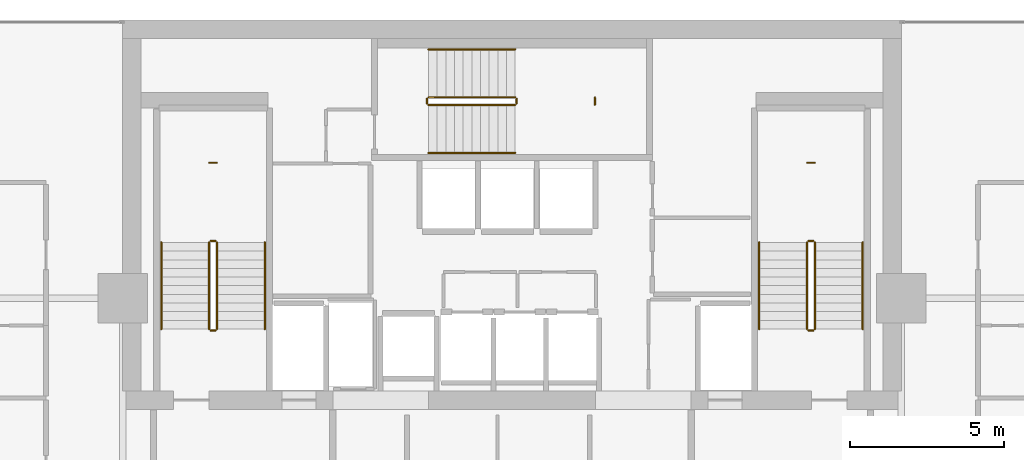
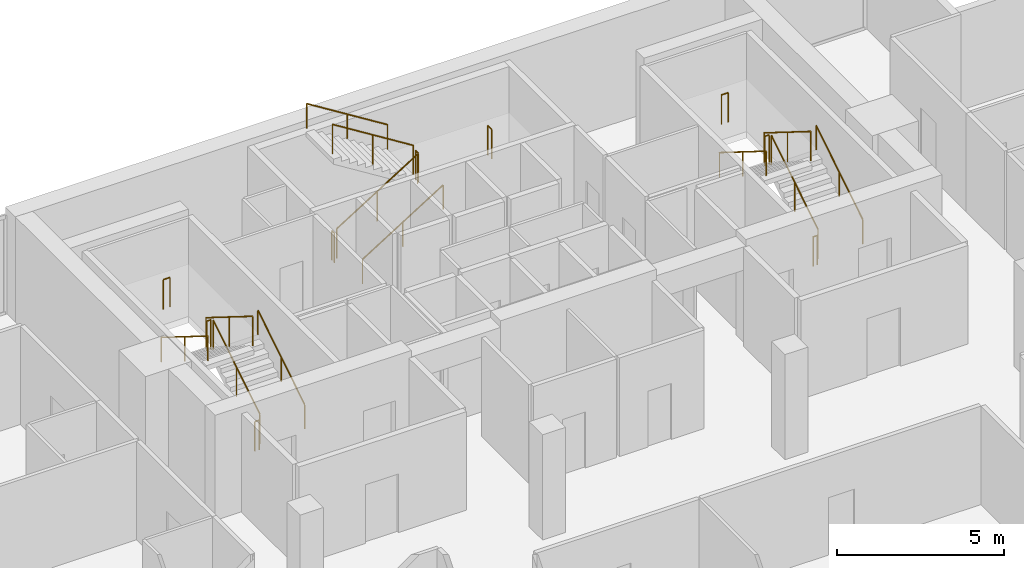
# One storey, part 26 of 26: 21 railings.
"""IFC4 building model written with IfcOpenShell, lengths in metres."""

from ifc_helpers import new_model, si_unit, direction, frame, origin, origin_2d, place, context, subcontext, project, spatial, circle, extrude, material, type_object, element, save


model = new_model("IFC4")

# Units and contexts
model_context = context("Model", 3, precision=1e-05, world=origin(), true_north=direction((0.0, 1.0)))
body_context = subcontext(model_context, "Body", "Model", "MODEL_VIEW")
ifc_project = project(units=[si_unit("LENGTHUNIT", "METRE"), si_unit("AREAUNIT", "SQUARE_METRE"), si_unit("VOLUMEUNIT", "CUBIC_METRE"), si_unit("PLANEANGLEUNIT", "RADIAN"), si_unit("MASSUNIT", "GRAM", prefix="KILO")], contexts=[model_context])

# Site, building, storey
site_placement = place(None, origin())
site = spatial("IfcSite", under=ifc_project, at=site_placement, CompositionType="ELEMENT")
building_placement = place(site_placement, origin())
building = spatial("IfcBuilding", under=site, at=building_placement, Name="Maruvema Waterfront Hotel and Observation Tower", CompositionType="ELEMENT")
storey_placement = place(building_placement, frame((0.0, 0.0, 243.25)))
storey = spatial("IfcBuildingStorey", under=building, at=storey_placement, Name="L59", CompositionType="ELEMENT", Elevation=243.25)

# Railings
ifc_material_1 = material(Name="Brushed stainless steel Grade 316", Category="steel")
railing_type_1 = type_object("IfcRailingType", Name="Ramp Continuous Wall Handrail 920 mm", PredefinedType="HANDRAIL", material=ifc_material_1)
railing_1_placement = place(storey_placement, frame((29.800048828125, 44.0, 0.175048828125)))
element("IfcRailing", 1, at=railing_1_placement, inside=storey, type_object=railing_type_1, Name="L59 ST-01 stair handrail 1", PredefinedType="HANDRAIL", context=body_context, shape_type="SweptSolid", body=[
    extrude(circle(Radius=0.02392578125, at=origin_2d()), frame((0.0, 0.0, 0.89599609375), z_axis=(0.0, 0.848002457836, 0.529992293815), x_axis=(-1.0, 0.0, 0.0)), (0.0, 0.0, 1.0), 3.302001953125),
    extrude(circle(Radius=0.02099609375, at=origin_2d()), origin(), (0.0, 0.0, 1.0), 0.871826171875),
    extrude(circle(Radius=0.02099609375, at=origin_2d()), frame((0.0, 1.39990234375, 0.875)), (0.0, 0.0, 1.0), 0.871826171875),
    extrude(circle(Radius=0.02099609375, at=origin_2d()), frame((0.0, 2.800048828125, 1.75)), (0.0, 0.0, 1.0), 0.871826171875),
])
railing_2_placement = place(storey_placement, frame((26.449951171875, 46.800048828125, 2.10009765625)))
element("IfcRailing", 2, at=railing_2_placement, inside=storey, type_object=railing_type_1, Name="L59 ST-01 stair handrail 2", PredefinedType="HANDRAIL", context=body_context, shape_type="SweptSolid", body=[
    extrude(circle(Radius=0.02392578125, at=origin_2d()), frame((0.0, 0.0, 0.89599609375), z_axis=(0.0, -0.848002457836, 0.529992293815), x_axis=(1.0, 0.0, 0.0)), (0.0, 0.0, 1.0), 3.302001953125),
    extrude(circle(Radius=0.02099609375, at=origin_2d()), origin(), (0.0, 0.0, 1.0), 0.871826171875),
    extrude(circle(Radius=0.02099609375, at=origin_2d()), frame((0.0, -1.39990234375, 0.875)), (0.0, 0.0, 1.0), 0.871826171875),
    extrude(circle(Radius=0.02099609375, at=origin_2d()), frame((0.0, -2.800048828125, 1.75)), (0.0, 0.0, 1.0), 0.871826171875),
])
railing_3_placement = place(storey_placement, frame((35.10009765625, 49.699951171875, 0.175048828125)))
element("IfcRailing", 3, at=railing_3_placement, inside=storey, type_object=railing_type_1, Name="L59 ST-02 stair handrail 1", PredefinedType="HANDRAIL", context=body_context, shape_type="SweptSolid", body=[
    extrude(circle(Radius=0.02392578125, at=origin_2d()), frame((0.0, 0.0, 0.89599609375), z_axis=(0.847981687118, 0.0, 0.530025526095), x_axis=(0.0, 1.0, 0.0)), (0.0, 0.0, 1.0), 3.3017578125),
    extrude(circle(Radius=0.02099609375, at=origin_2d()), origin(), (0.0, 0.0, 1.0), 0.871826171875),
    extrude(circle(Radius=0.02099609375, at=origin_2d()), frame((1.39990234375, 0.0, 0.875)), (0.0, 0.0, 1.0), 0.871826171875),
    extrude(circle(Radius=0.02099609375, at=origin_2d()), frame((2.7998046875, 0.0, 1.75)), (0.0, 0.0, 1.0), 0.871826171875),
])
railing_4_placement = place(storey_placement, frame((37.89990234375, 53.050048828125, 2.10009765625)))
element("IfcRailing", 4, at=railing_4_placement, inside=storey, type_object=railing_type_1, Name="L59 ST-02 stair handrail 2", PredefinedType="HANDRAIL", context=body_context, shape_type="SweptSolid", body=[
    extrude(circle(Radius=0.02392578125, at=origin_2d()), frame((0.0, 0.0, 0.89599609375), z_axis=(-0.847981687118, 0.0, 0.530025526095), x_axis=(0.0, -1.0, 0.0)), (0.0, 0.0, 1.0), 3.3017578125),
    extrude(circle(Radius=0.02099609375, at=origin_2d()), origin(), (0.0, 0.0, 1.0), 0.871826171875),
    extrude(circle(Radius=0.02099609375, at=origin_2d()), frame((-1.39990234375, 0.0, 0.875)), (0.0, 0.0, 1.0), 0.871826171875),
    extrude(circle(Radius=0.02099609375, at=origin_2d()), frame((-2.7998046875, 0.0, 1.75)), (0.0, 0.0, 1.0), 0.871826171875),
])
railing_5_placement = place(storey_placement, frame((49.14990234375, 44.0, 0.175048828125)))
element("IfcRailing", 5, at=railing_5_placement, inside=storey, type_object=railing_type_1, Name="L59 ST-03 stair handrail 1", PredefinedType="HANDRAIL", context=body_context, shape_type="SweptSolid", body=[
    extrude(circle(Radius=0.02392578125, at=origin_2d()), frame((0.0, 0.0, 0.89599609375), z_axis=(0.0, 0.848002457836, 0.529992293815), x_axis=(-1.0, 0.0, 0.0)), (0.0, 0.0, 1.0), 3.302001953125),
    extrude(circle(Radius=0.02099609375, at=origin_2d()), origin(), (0.0, 0.0, 1.0), 0.871826171875),
    extrude(circle(Radius=0.02099609375, at=origin_2d()), frame((0.0, 1.39990234375, 0.875)), (0.0, 0.0, 1.0), 0.871826171875),
    extrude(circle(Radius=0.02099609375, at=origin_2d()), frame((0.0, 2.800048828125, 1.75)), (0.0, 0.0, 1.0), 0.871826171875),
])
railing_6_placement = place(storey_placement, frame((45.800048828125, 46.800048828125, 2.10009765625)))
element("IfcRailing", 6, at=railing_6_placement, inside=storey, type_object=railing_type_1, Name="L59 ST-03 stair handrail 2", PredefinedType="HANDRAIL", context=body_context, shape_type="SweptSolid", body=[
    extrude(circle(Radius=0.02392578125, at=origin_2d()), frame((0.0, 0.0, 0.89599609375), z_axis=(0.0, -0.848002457836, 0.529992293815), x_axis=(1.0, 0.0, 0.0)), (0.0, 0.0, 1.0), 3.302001953125),
    extrude(circle(Radius=0.02099609375, at=origin_2d()), origin(), (0.0, 0.0, 1.0), 0.871826171875),
    extrude(circle(Radius=0.02099609375, at=origin_2d()), frame((0.0, -1.39990234375, 0.875)), (0.0, 0.0, 1.0), 0.871826171875),
    extrude(circle(Radius=0.02099609375, at=origin_2d()), frame((0.0, -2.800048828125, 1.75)), (0.0, 0.0, 1.0), 0.871826171875),
])
ifc_material_2 = material(Name="Brushed stainless steel Grade 316", Category="steel")
railing_type_2 = type_object("IfcRailingType", Name="Ramp and Terrace Guard Balustrade 1100 mm", PredefinedType="BALUSTRADE", material=ifc_material_2)
railing_7_placement = place(storey_placement, frame((28.25, 44.0, 0.175048828125)))
element("IfcRailing", 7, at=railing_7_placement, inside=storey, type_object=railing_type_2, Name="L59 ST-01 stair guard 1", PredefinedType="BALUSTRADE", context=body_context, shape_type="SweptSolid", body=[
    extrude(circle(Radius=0.02392578125, at=origin_2d()), frame((0.0, 0.0, 1.076171875), z_axis=(0.0, 0.848002457836, 0.529992293815), x_axis=(-1.0, 0.0, 0.0)), (0.0, 0.0, 1.0), 3.302001953125),
    extrude(circle(Radius=0.02099609375, at=origin_2d()), origin(), (0.0, 0.0, 1.0), 1.052001953125),
    extrude(circle(Radius=0.02099609375, at=origin_2d()), frame((0.0, 1.39990234375, 0.875)), (0.0, 0.0, 1.0), 1.052001953125),
    extrude(circle(Radius=0.02099609375, at=origin_2d()), frame((0.0, 2.800048828125, 1.75)), (0.0, 0.0, 1.0), 1.052001953125),
])
railing_8_placement = place(storey_placement, frame((28.199951171875, 46.85009765625, 1.925048828125)))
element("IfcRailing", 8, at=railing_8_placement, inside=storey, type_object=railing_type_2, Name="L59 ST-01 stair guard 2", PredefinedType="BALUSTRADE", context=body_context, shape_type="SweptSolid", body=[
    extrude(circle(Radius=0.02392578125, at=origin_2d()), frame((0.0, 0.0, 1.076171875), z_axis=(-1.0, 0.0, 0.0), x_axis=(0.0, -1.0, 0.0)), (0.0, 0.0, 1.0), 0.14990234375),
    extrude(circle(Radius=0.02099609375, at=origin_2d()), origin(), (0.0, 0.0, 1.0), 1.052001953125),
    extrude(circle(Radius=0.02099609375, at=origin_2d()), frame((-0.14990234375, 0.0, 0.0)), (0.0, 0.0, 1.0), 1.052001953125),
])
railing_9_placement = place(storey_placement, frame((28.0, 46.800048828125, 2.10009765625)))
element("IfcRailing", 9, at=railing_9_placement, inside=storey, type_object=railing_type_2, Name="L59 ST-01 stair guard 3", PredefinedType="BALUSTRADE", context=body_context, shape_type="SweptSolid", body=[
    extrude(circle(Radius=0.02392578125, at=origin_2d()), frame((0.0, 0.0, 1.076171875), z_axis=(0.0, -0.848002457836, 0.529992293815), x_axis=(1.0, 0.0, 0.0)), (0.0, 0.0, 1.0), 3.302001953125),
    extrude(circle(Radius=0.02099609375, at=origin_2d()), origin(), (0.0, 0.0, 1.0), 1.052001953125),
    extrude(circle(Radius=0.02099609375, at=origin_2d()), frame((0.0, -1.39990234375, 0.875)), (0.0, 0.0, 1.0), 1.052001953125),
    extrude(circle(Radius=0.02099609375, at=origin_2d()), frame((0.0, -2.800048828125, 1.75)), (0.0, 0.0, 1.0), 1.052001953125),
])
railing_10_placement = place(storey_placement, frame((28.199951171875, 43.949951171875, 0.0)))
element("IfcRailing", 10, at=railing_10_placement, inside=storey, type_object=railing_type_2, Name="L59 ST-01 stair guard 4", PredefinedType="BALUSTRADE", context=body_context, shape_type="SweptSolid", body=[
    extrude(circle(Radius=0.02392578125, at=origin_2d()), frame((0.0, 0.0, 1.076171875), z_axis=(-1.0, 0.0, 0.0), x_axis=(0.0, -1.0, 0.0)), (0.0, 0.0, 1.0), 0.14990234375),
    extrude(circle(Radius=0.02099609375, at=origin_2d()), origin(), (0.0, 0.0, 1.0), 1.052001953125),
    extrude(circle(Radius=0.02099609375, at=origin_2d()), frame((-0.14990234375, 0.0, 0.0)), (0.0, 0.0, 1.0), 1.052001953125),
])
railing_11_placement = place(storey_placement, frame((28.239990234375, 49.3798828125, 1.925048828125)))
element("IfcRailing", 11, at=railing_11_placement, inside=storey, type_object=railing_type_2, Name="L59 ST-01 Half-Landing Slot Guard", PredefinedType="BALUSTRADE", context=body_context, shape_type="SweptSolid", body=[
    extrude(circle(Radius=0.02392578125, at=origin_2d()), frame((0.0, 0.0, 1.076171875), z_axis=(-1.0, 0.0, 0.0), x_axis=(0.0, -1.0, 0.0)), (0.0, 0.0, 1.0), 0.22998046875),
    extrude(circle(Radius=0.02099609375, at=origin_2d()), origin(), (0.0, 0.0, 1.0), 1.052001953125),
    extrude(circle(Radius=0.02099609375, at=origin_2d()), frame((-0.22998046875, 0.0, 0.0)), (0.0, 0.0, 1.0), 1.052001953125),
])
railing_12_placement = place(storey_placement, frame((35.10009765625, 51.25, 0.175048828125)))
element("IfcRailing", 12, at=railing_12_placement, inside=storey, type_object=railing_type_2, Name="L59 ST-02 stair guard 1", PredefinedType="BALUSTRADE", context=body_context, shape_type="SweptSolid", body=[
    extrude(circle(Radius=0.02392578125, at=origin_2d()), frame((0.0, 0.0, 1.076171875), z_axis=(0.847981687118, 0.0, 0.530025526095), x_axis=(0.0, 1.0, 0.0)), (0.0, 0.0, 1.0), 3.3017578125),
    extrude(circle(Radius=0.02099609375, at=origin_2d()), origin(), (0.0, 0.0, 1.0), 1.052001953125),
    extrude(circle(Radius=0.02099609375, at=origin_2d()), frame((1.39990234375, 0.0, 0.875)), (0.0, 0.0, 1.0), 1.052001953125),
    extrude(circle(Radius=0.02099609375, at=origin_2d()), frame((2.7998046875, 0.0, 1.75)), (0.0, 0.0, 1.0), 1.052001953125),
])
railing_13_placement = place(storey_placement, frame((37.949951171875, 51.300048828125, 1.925048828125)))
element("IfcRailing", 13, at=railing_13_placement, inside=storey, type_object=railing_type_2, Name="L59 ST-02 stair guard 2", PredefinedType="BALUSTRADE", context=body_context, shape_type="SweptSolid", body=[
    extrude(circle(Radius=0.02392578125, at=origin_2d()), frame((0.0, 0.0, 1.076171875), z_axis=(0.0, 1.0, 0.0), x_axis=(-1.0, 0.0, 0.0)), (0.0, 0.0, 1.0), 0.14990234375),
    extrude(circle(Radius=0.02099609375, at=origin_2d()), origin(), (0.0, 0.0, 1.0), 1.052001953125),
    extrude(circle(Radius=0.02099609375, at=origin_2d()), frame((0.0, 0.14990234375, 0.0)), (0.0, 0.0, 1.0), 1.052001953125),
])
railing_14_placement = place(storey_placement, frame((37.89990234375, 51.5, 2.10009765625)))
element("IfcRailing", 14, at=railing_14_placement, inside=storey, type_object=railing_type_2, Name="L59 ST-02 stair guard 3", PredefinedType="BALUSTRADE", context=body_context, shape_type="SweptSolid", body=[
    extrude(circle(Radius=0.02392578125, at=origin_2d()), frame((0.0, 0.0, 1.076171875), z_axis=(-0.847981687118, 0.0, 0.530025526095), x_axis=(0.0, -1.0, 0.0)), (0.0, 0.0, 1.0), 3.3017578125),
    extrude(circle(Radius=0.02099609375, at=origin_2d()), origin(), (0.0, 0.0, 1.0), 1.052001953125),
    extrude(circle(Radius=0.02099609375, at=origin_2d()), frame((-1.39990234375, 0.0, 0.875)), (0.0, 0.0, 1.0), 1.052001953125),
    extrude(circle(Radius=0.02099609375, at=origin_2d()), frame((-2.7998046875, 0.0, 1.75)), (0.0, 0.0, 1.0), 1.052001953125),
])
railing_15_placement = place(storey_placement, frame((35.050048828125, 51.300048828125, 0.0)))
element("IfcRailing", 15, at=railing_15_placement, inside=storey, type_object=railing_type_2, Name="L59 ST-02 stair guard 4", PredefinedType="BALUSTRADE", context=body_context, shape_type="SweptSolid", body=[
    extrude(circle(Radius=0.02392578125, at=origin_2d()), frame((0.0, 0.0, 1.076171875), z_axis=(0.0, 1.0, 0.0), x_axis=(-1.0, 0.0, 0.0)), (0.0, 0.0, 1.0), 0.14990234375),
    extrude(circle(Radius=0.02099609375, at=origin_2d()), origin(), (0.0, 0.0, 1.0), 1.052001953125),
    extrude(circle(Radius=0.02099609375, at=origin_2d()), frame((0.0, 0.14990234375, 0.0)), (0.0, 0.0, 1.0), 1.052001953125),
])
railing_16_placement = place(storey_placement, frame((40.47998046875, 51.260009765625, 1.925048828125)))
element("IfcRailing", 16, at=railing_16_placement, inside=storey, type_object=railing_type_2, Name="L59 ST-02 Half-Landing Slot Guard", PredefinedType="BALUSTRADE", context=body_context, shape_type="SweptSolid", body=[
    extrude(circle(Radius=0.02392578125, at=origin_2d()), frame((0.0, 0.0, 1.076171875), z_axis=(0.0, 1.0, 0.0), x_axis=(-1.0, 0.0, 0.0)), (0.0, 0.0, 1.0), 0.22998046875),
    extrude(circle(Radius=0.02099609375, at=origin_2d()), origin(), (0.0, 0.0, 1.0), 1.052001953125),
    extrude(circle(Radius=0.02099609375, at=origin_2d()), frame((0.0, 0.22998046875, 0.0)), (0.0, 0.0, 1.0), 1.052001953125),
])
railing_17_placement = place(storey_placement, frame((47.60009765625, 44.0, 0.175048828125)))
element("IfcRailing", 17, at=railing_17_placement, inside=storey, type_object=railing_type_2, Name="L59 ST-03 stair guard 1", PredefinedType="BALUSTRADE", context=body_context, shape_type="SweptSolid", body=[
    extrude(circle(Radius=0.02392578125, at=origin_2d()), frame((0.0, 0.0, 1.076171875), z_axis=(0.0, 0.848002457836, 0.529992293815), x_axis=(-1.0, 0.0, 0.0)), (0.0, 0.0, 1.0), 3.302001953125),
    extrude(circle(Radius=0.02099609375, at=origin_2d()), origin(), (0.0, 0.0, 1.0), 1.052001953125),
    extrude(circle(Radius=0.02099609375, at=origin_2d()), frame((0.0, 1.39990234375, 0.875)), (0.0, 0.0, 1.0), 1.052001953125),
    extrude(circle(Radius=0.02099609375, at=origin_2d()), frame((0.0, 2.800048828125, 1.75)), (0.0, 0.0, 1.0), 1.052001953125),
])
railing_18_placement = place(storey_placement, frame((47.550048828125, 46.85009765625, 1.925048828125)))
element("IfcRailing", 18, at=railing_18_placement, inside=storey, type_object=railing_type_2, Name="L59 ST-03 stair guard 2", PredefinedType="BALUSTRADE", context=body_context, shape_type="SweptSolid", body=[
    extrude(circle(Radius=0.02392578125, at=origin_2d()), frame((0.0, 0.0, 1.076171875), z_axis=(-1.0, 0.0, 0.0), x_axis=(0.0, -1.0, 0.0)), (0.0, 0.0, 1.0), 0.150146484375),
    extrude(circle(Radius=0.02099609375, at=origin_2d()), origin(), (0.0, 0.0, 1.0), 1.052001953125),
    extrude(circle(Radius=0.02099609375, at=origin_2d()), frame((-0.150146484375, 0.0, 0.0)), (0.0, 0.0, 1.0), 1.052001953125),
])
railing_19_placement = place(storey_placement, frame((47.35009765625, 46.800048828125, 2.10009765625)))
element("IfcRailing", 19, at=railing_19_placement, inside=storey, type_object=railing_type_2, Name="L59 ST-03 stair guard 3", PredefinedType="BALUSTRADE", context=body_context, shape_type="SweptSolid", body=[
    extrude(circle(Radius=0.02392578125, at=origin_2d()), frame((0.0, 0.0, 1.076171875), z_axis=(0.0, -0.848002457836, 0.529992293815), x_axis=(1.0, 0.0, 0.0)), (0.0, 0.0, 1.0), 3.302001953125),
    extrude(circle(Radius=0.02099609375, at=origin_2d()), origin(), (0.0, 0.0, 1.0), 1.052001953125),
    extrude(circle(Radius=0.02099609375, at=origin_2d()), frame((0.0, -1.39990234375, 0.875)), (0.0, 0.0, 1.0), 1.052001953125),
    extrude(circle(Radius=0.02099609375, at=origin_2d()), frame((0.0, -2.800048828125, 1.75)), (0.0, 0.0, 1.0), 1.052001953125),
])
railing_20_placement = place(storey_placement, frame((47.550048828125, 43.949951171875, 0.0)))
element("IfcRailing", 20, at=railing_20_placement, inside=storey, type_object=railing_type_2, Name="L59 ST-03 stair guard 4", PredefinedType="BALUSTRADE", context=body_context, shape_type="SweptSolid", body=[
    extrude(circle(Radius=0.02392578125, at=origin_2d()), frame((0.0, 0.0, 1.076171875), z_axis=(-1.0, 0.0, 0.0), x_axis=(0.0, -1.0, 0.0)), (0.0, 0.0, 1.0), 0.150146484375),
    extrude(circle(Radius=0.02099609375, at=origin_2d()), origin(), (0.0, 0.0, 1.0), 1.052001953125),
    extrude(circle(Radius=0.02099609375, at=origin_2d()), frame((-0.150146484375, 0.0, 0.0)), (0.0, 0.0, 1.0), 1.052001953125),
])
railing_21_placement = place(storey_placement, frame((47.590087890625, 49.3798828125, 1.925048828125)))
element("IfcRailing", 21, at=railing_21_placement, inside=storey, type_object=railing_type_2, Name="L59 ST-03 Half-Landing Slot Guard", PredefinedType="BALUSTRADE", context=body_context, shape_type="SweptSolid", body=[
    extrude(circle(Radius=0.02392578125, at=origin_2d()), frame((0.0, 0.0, 1.076171875), z_axis=(-1.0, 0.0, 0.0), x_axis=(0.0, -1.0, 0.0)), (0.0, 0.0, 1.0), 0.22998046875),
    extrude(circle(Radius=0.02099609375, at=origin_2d()), origin(), (0.0, 0.0, 1.0), 1.052001953125),
    extrude(circle(Radius=0.02099609375, at=origin_2d()), frame((-0.22998046875, 0.0, 0.0)), (0.0, 0.0, 1.0), 1.052001953125),
])

save(model, "model.ifc")
